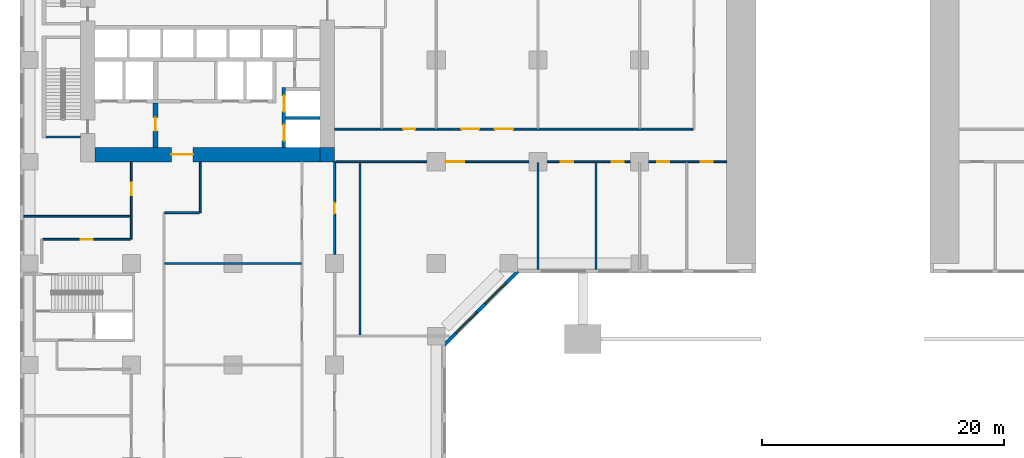
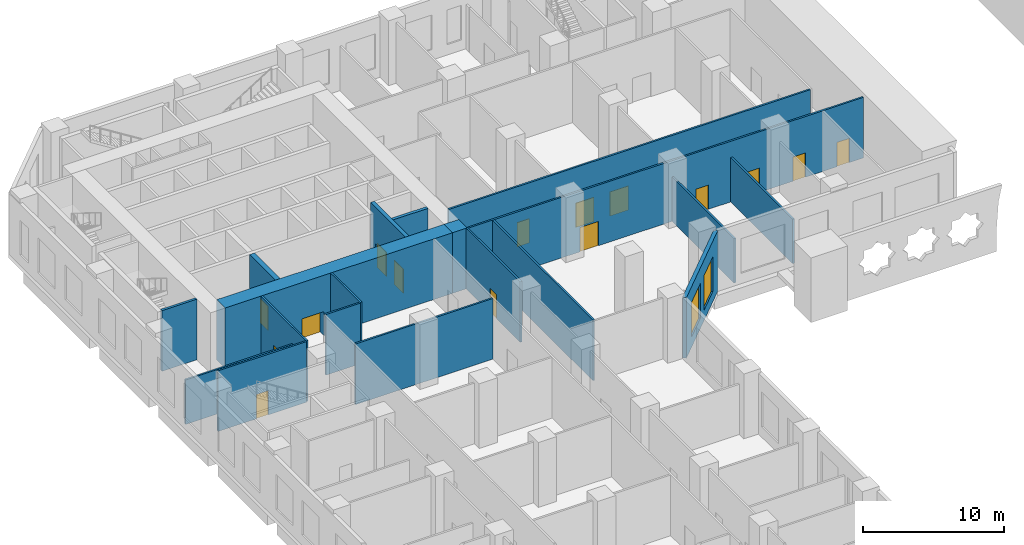
# One storey, part 5 of 17: 19 walls, 15 doors, 2 windows, 17 openings.
"""IFC4 building model written with IfcOpenShell, lengths in metres."""

from ifc_helpers import new_model, si_unit, direction, frame, frame_2d, origin, place, context, subcontext, project, spatial, rectangle, extrude, material, layer, layer_set, type_object, element, fill, save


model = new_model("IFC4")

# Units and contexts
model_context = context("Model", 3, precision=1e-05, world=origin(), true_north=direction((0.0, 1.0)))
body_context = subcontext(model_context, "Body", "Model", "MODEL_VIEW")
ifc_project = project(units=[si_unit("LENGTHUNIT", "METRE"), si_unit("AREAUNIT", "SQUARE_METRE"), si_unit("VOLUMEUNIT", "CUBIC_METRE"), si_unit("PLANEANGLEUNIT", "RADIAN"), si_unit("MASSUNIT", "GRAM", prefix="KILO")], contexts=[model_context])

# Site, building, storey
site_placement = place(None, origin())
site = spatial("IfcSite", under=ifc_project, at=site_placement, CompositionType="ELEMENT")
building_placement = place(site_placement, origin())
building = spatial("IfcBuilding", under=site, at=building_placement, Name="Kawkab Arch Medical Tower", CompositionType="ELEMENT")
storey_placement = place(building_placement, frame((0.0, 0.0, 7.0)))
storey = spatial("IfcBuildingStorey", under=building, at=storey_placement, Name="L02", CompositionType="ELEMENT", Elevation=7.0)

# Wall, opening, door
ifc_material_1 = material(Name="Concrete C60/75", Category="concrete")
ifc_layer_1 = layer(ifc_material_1, 1.199951171875)
ifc_layer_set_1 = layer_set([ifc_layer_1], Name="Concrete C60/75")
wall_type_1 = type_object("IfcWallType", Name="Core ring wall 1200 C60/75", PredefinedType="SHEAR", material=ifc_layer_set_1)
wall_1_placement = place(storey_placement, frame((5.39990234375, -24.60009765625, 0.0), z_axis=(0.0, 0.0, 1.0), x_axis=(1.0, 0.0, 0.0)))
wall_1 = element("IfcWall", 1, at=wall_1_placement, inside=storey, type_object=wall_type_1, Name="L02 core wall", PredefinedType="SHEAR", context=body_context, shape_type="SweptSolid", body=[
    extrude(rectangle(XDim=18.60009765625, YDim=1.199951171875, at=frame_2d((9.300048828125, 0.0))), origin(), (0.0, 0.0, 1.0), 5.25),
])
opening_1_placement = place(wall_1_placement, frame((6.300048828125, 0.0, 0.0)))
opening_1 = element("IfcOpeningElement", 2, at=opening_1_placement, cuts=wall_1, Name="Opening PD", PredefinedType="OPENING", context=body_context, shape_type="SweptSolid", body=[
    extrude(rectangle(XDim=1.800048828125, YDim=2.10009765625, at=frame_2d((0.89990234375, 1.050048828125))), frame((0.0, 0.60986328125, 0.0), z_axis=(0.0, -1.0, 0.0), x_axis=(1.0, 0.0, 0.0)), (0.0, 0.0, 1.0), 1.219970703125),
])
ifc_material_2 = material(Name="Hollow metal fire door leaf")
door_type_1 = type_object("IfcDoorType", Name="Core entrance doors 1800", OperationType="DOUBLE_DOOR_SINGLE_SWING", PredefinedType="DOOR", material=ifc_material_2)
door_1_placement = place(opening_1_placement, origin())
door_1 = element("IfcDoor", 3, at=door_1_placement, inside=storey, type_object=door_type_1, Name="L02 South entrance doors", OperationType="DOUBLE_DOOR_SINGLE_SWING", OverallHeight=2.10009765625, OverallWidth=1.800048828125, PredefinedType="DOOR", context=body_context, shape_type="SweptSolid", body=[
    extrude(rectangle(XDim=1.800048828125, YDim=2.10009765625, at=frame_2d((0.89990234375, 1.050048828125))), frame((0.0, 0.02490234375, 0.0), z_axis=(0.0, -1.0, 0.0), x_axis=(1.0, 0.0, 0.0)), (0.0, 0.0, 1.0), 0.050048828125),
])
fill(opening_1, door_1)

# Walls
wall_2_placement = place(storey_placement, frame((24.60009765625, -25.199951171875, 0.0), z_axis=(0.0, 0.0, 1.0), x_axis=(0.0, 1.0, 0.0)))
element("IfcWall", 4, at=wall_2_placement, inside=storey, type_object=wall_type_1, Name="L02 core wall", PredefinedType="SHEAR", context=body_context, shape_type="SweptSolid", body=[
    extrude(rectangle(XDim=1.199951171875, YDim=1.199951171875, at=frame_2d((0.60009765625, 0.0))), origin(), (0.0, 0.0, 1.0), 5.25),
])
ifc_material_3 = material(Name="Concrete C60/75", Category="concrete")
ifc_layer_2 = layer(ifc_material_3, 0.25)
ifc_layer_set_2 = layer_set([ifc_layer_2], Name="Concrete C60/75")
wall_type_2 = type_object("IfcWallType", Name="Core shear wall 250 C60/75", PredefinedType="SHEAR", material=ifc_layer_set_2)
wall_3_placement = place(storey_placement, frame((21.14990234375, -21.60009765625, 0.0), z_axis=(0.0, 0.0, 1.0), x_axis=(1.0, 0.0, 0.0)))
element("IfcWall", 5, at=wall_3_placement, inside=storey, type_object=wall_type_2, Name="L02 core shear wall", PredefinedType="SHEAR", context=body_context, shape_type="SweptSolid", body=[
    extrude(rectangle(XDim=2.85009765625, YDim=0.25, at=frame_2d((1.425048828125, 0.0))), origin(), (0.0, 0.0, 1.0), 5.25),
])

# Wall, openings, doors
ifc_material_4 = material(Name="Concrete C60/75", Category="concrete")
ifc_layer_3 = layer(ifc_material_4, 0.300048828125)
ifc_layer_set_3 = layer_set([ifc_layer_3], Name="Concrete C60/75")
wall_type_3 = type_object("IfcWallType", Name="Core shear wall 300 C60/75", PredefinedType="SHEAR", material=ifc_layer_set_3)
wall_4_placement = place(storey_placement, frame((21.0, -24.0, 0.0), z_axis=(0.0, 0.0, 1.0), x_axis=(0.0, 1.0, 0.0)))
wall_4 = element("IfcWall", 6, at=wall_4_placement, inside=storey, type_object=wall_type_3, Name="L02 core shear wall", PredefinedType="SHEAR", context=body_context, shape_type="SweptSolid", body=[
    extrude(rectangle(XDim=4.949951171875, YDim=0.300048828125, at=frame_2d((2.47509765625, 0.0))), origin(), (0.0, 0.0, 1.0), 5.25),
])
opening_2_placement = place(wall_4_placement, frame((2.949951171875, 0.0, 0.0)))
opening_2 = element("IfcOpeningElement", 7, at=opening_2_placement, cuts=wall_4, Name="Opening LD2", PredefinedType="OPENING", context=body_context, shape_type="SweptSolid", body=[
    extrude(rectangle(XDim=1.300048828125, YDim=2.10009765625, at=frame_2d((0.64990234375, 1.050048828125))), frame((0.0, 0.159912109375, 0.0), z_axis=(0.0, -1.0, 0.0), x_axis=(1.0, 0.0, 0.0)), (0.0, 0.0, 1.0), 0.320068359375),
])
opening_3_placement = place(wall_4_placement, frame((0.550048828125, 0.0, 0.0)))
opening_3 = element("IfcOpeningElement", 8, at=opening_3_placement, cuts=wall_4, Name="Opening LD2", PredefinedType="OPENING", context=body_context, shape_type="SweptSolid", body=[
    extrude(rectangle(XDim=1.300048828125, YDim=2.10009765625, at=frame_2d((0.64990234375, 1.050048828125))), frame((0.0, 0.159912109375, 0.0), z_axis=(0.0, -1.0, 0.0), x_axis=(1.0, 0.0, 0.0)), (0.0, 0.0, 1.0), 0.320068359375),
])
ifc_material_5 = material(Name="Stainless steel lift door leaf", Category="steel")
door_type_2 = type_object("IfcDoorType", Name="Lift landing door 1300", OperationType="DOUBLE_DOOR_SLIDING", PredefinedType="DOOR", material=ifc_material_5)
door_2_placement = place(opening_2_placement, origin())
door_2 = element("IfcDoor", 9, at=door_2_placement, inside=storey, type_object=door_type_2, Name="L02 Lift landing door BD1", OperationType="DOUBLE_DOOR_SLIDING", OverallHeight=2.10009765625, OverallWidth=1.300048828125, PredefinedType="DOOR", context=body_context, shape_type="SweptSolid", body=[
    extrude(rectangle(XDim=1.300048828125, YDim=2.10009765625, at=frame_2d((0.64990234375, 1.050048828125))), frame((0.0, 0.02490234375, 0.0), z_axis=(0.0, -1.0, 0.0), x_axis=(1.0, 0.0, 0.0)), (0.0, 0.0, 1.0), 0.050048828125),
])
fill(opening_2, door_2)
door_3_placement = place(opening_3_placement, origin())
door_3 = element("IfcDoor", 10, at=door_3_placement, inside=storey, type_object=door_type_2, Name="L02 Lift landing door BD2", OperationType="DOUBLE_DOOR_SLIDING", OverallHeight=2.10009765625, OverallWidth=1.300048828125, PredefinedType="DOOR", context=body_context, shape_type="SweptSolid", body=[
    extrude(rectangle(XDim=1.300048828125, YDim=2.10009765625, at=frame_2d((0.64990234375, 1.050048828125))), frame((0.0, 0.02490234375, 0.0), z_axis=(0.0, -1.0, 0.0), x_axis=(1.0, 0.0, 0.0)), (0.0, 0.0, 1.0), 0.050048828125),
])
fill(opening_3, door_3)

# Wall, opening, door
ifc_material_6 = material(Name="Concrete C60/75", Category="concrete")
ifc_layer_4 = layer(ifc_material_6, 0.39990234375)
ifc_layer_set_4 = layer_set([ifc_layer_4], Name="Concrete C60/75")
wall_type_4 = type_object("IfcWallType", Name="Core shear wall 400 C60/75", PredefinedType="SHEAR", material=ifc_layer_set_4)
wall_5_placement = place(storey_placement, frame((10.39990234375, -24.0, 0.0), z_axis=(0.0, 0.0, 1.0), x_axis=(0.0, 1.0, 0.0)))
wall_5 = element("IfcWall", 11, at=wall_5_placement, inside=storey, type_object=wall_type_4, Name="L02 core shear wall", PredefinedType="SHEAR", context=body_context, shape_type="SweptSolid", body=[
    extrude(rectangle(XDim=3.64990234375, YDim=0.39990234375, at=frame_2d((1.824951171875, 0.0))), origin(), (0.0, 0.0, 1.0), 5.25),
])
opening_4_placement = place(wall_5_placement, frame((1.35009765625, 0.0, 0.0)))
opening_4 = element("IfcOpeningElement", 12, at=opening_4_placement, cuts=wall_5, Name="Opening FD", PredefinedType="OPENING", context=body_context, shape_type="SweptSolid", body=[
    extrude(rectangle(XDim=1.10009765625, YDim=2.10009765625, at=frame_2d((0.550048828125, 1.050048828125))), frame((0.0, 0.2099609375, 0.0), z_axis=(0.0, -1.0, 0.0), x_axis=(1.0, 0.0, 0.0)), (0.0, 0.0, 1.0), 0.419921875),
])
ifc_material_7 = material(Name="Hollow metal fire door leaf")
door_type_3 = type_object("IfcDoorType", Name="Firefighting lobby door 1100", OperationType="SINGLE_SWING_LEFT", PredefinedType="DOOR", material=ifc_material_7)
door_4_placement = place(opening_4_placement, origin())
door_4 = element("IfcDoor", 13, at=door_4_placement, inside=storey, type_object=door_type_3, Name="L02 Firefighting lobby door", OperationType="SINGLE_SWING_LEFT", OverallHeight=2.10009765625, OverallWidth=1.10009765625, PredefinedType="DOOR", context=body_context, shape_type="SweptSolid", body=[
    extrude(rectangle(XDim=1.10009765625, YDim=2.10009765625, at=frame_2d((0.550048828125, 1.050048828125))), frame((0.0, 0.02490234375, 0.0), z_axis=(0.0, -1.0, 0.0), x_axis=(1.0, 0.0, 0.0)), (0.0, 0.0, 1.0), 0.050048828125),
])
fill(opening_4, door_4)

# Wall
ifc_material_8 = material(Name="Gypsum board partition on steel studs, mineral wool", Category="steel")
ifc_layer_5 = layer(ifc_material_8, 0.14990234375)
ifc_layer_set_5 = layer_set([ifc_layer_5], Name="Gypsum board partition on steel studs, mineral wool")
wall_type_5 = type_object("IfcWallType", Name="Partition 150", PredefinedType="PARTITIONING", material=ifc_layer_set_5)
wall_6_placement = place(storey_placement, frame((11.175048828125, -33.60009765625, 0.0), z_axis=(0.0, 0.0, 1.0), x_axis=(1.0, 0.0, 0.0)))
element("IfcWall", 14, at=wall_6_placement, inside=storey, type_object=wall_type_5, Name="Partition 150 w024", PredefinedType="PARTITIONING", context=body_context, shape_type="SweptSolid", body=[
    extrude(rectangle(XDim=11.25, YDim=0.14990234375, at=frame_2d((5.625, 0.0))), origin(), (0.0, 0.0, 1.0), 5.25),
])

# Wall, opening, door
wall_7_placement = place(storey_placement, frame((1.075927734375, -31.60693359375, 0.0), z_axis=(0.0, 0.0, 1.0), x_axis=(1.0, 0.0, 0.0)))
wall_7 = element("IfcWall", 15, at=wall_7_placement, inside=storey, type_object=wall_type_5, Name="Partition 150 w025", PredefinedType="PARTITIONING", context=body_context, shape_type="SweptSolid", body=[
    extrude(rectangle(XDim=7.2490234375, YDim=0.14990234375, at=frame_2d((3.62451171875, 0.0))), origin(), (0.0, 0.0, 1.0), 5.25),
])
opening_5_placement = place(wall_7_placement, frame((3.1240234375, 0.0, 0.0)))
opening_5 = element("IfcOpeningElement", 16, at=opening_5_placement, cuts=wall_7, Name="Opening P02-043", PredefinedType="OPENING", context=body_context, shape_type="SweptSolid", body=[
    extrude(rectangle(XDim=1.0, YDim=2.10009765625, at=frame_2d((0.5, 1.050048828125))), frame((0.0, 0.0849609375, 0.0), z_axis=(0.0, -1.0, 0.0), x_axis=(1.0, 0.0, 0.0)), (0.0, 0.0, 1.0), 0.169921875),
])
ifc_material_9 = material(Name="Hollow metal door leaf")
door_type_4 = type_object("IfcDoorType", Name="Single door 1000x2100 FD30S", OperationType="NOTDEFINED", PredefinedType="DOOR", material=ifc_material_9)
door_5_placement = place(opening_5_placement, origin())
door_5 = element("IfcDoor", 17, at=door_5_placement, inside=storey, type_object=door_type_4, Name="Door P02-043", OperationType="SINGLE_SWING_RIGHT", OverallHeight=2.10009765625, OverallWidth=1.0, PredefinedType="DOOR", context=body_context, shape_type="SweptSolid", body=[
    extrude(rectangle(XDim=1.0, YDim=2.10009765625, at=frame_2d((0.5, 1.050048828125))), frame((0.0, 0.02490234375, 0.0), z_axis=(0.0, -1.0, 0.0), x_axis=(1.0, 0.0, 0.0)), (0.0, 0.0, 1.0), 0.050048828125),
])
fill(opening_5, door_5)

# Walls
wall_8_placement = place(storey_placement, frame((-0.47998046875, -29.699951171875, 0.0), z_axis=(0.0, 0.0, 1.0), x_axis=(1.0, 0.0, 0.0)))
element("IfcWall", 18, at=wall_8_placement, inside=storey, type_object=wall_type_5, Name="Partition 150 w026", PredefinedType="PARTITIONING", context=body_context, shape_type="SweptSolid", body=[
    extrude(rectangle(XDim=8.804931640625, YDim=0.14990234375, at=frame_2d((4.40234375, 0.0))), origin(), (0.0, 0.0, 1.0), 3.85009765625),
])
wall_9_placement = place(storey_placement, frame((11.175048828125, -29.39990234375, 0.0), z_axis=(0.0, 0.0, 1.0), x_axis=(1.0, 0.0, 0.0)))
element("IfcWall", 19, at=wall_9_placement, inside=storey, type_object=wall_type_5, Name="Partition 150 w027", PredefinedType="PARTITIONING", context=body_context, shape_type="SweptSolid", body=[
    extrude(rectangle(XDim=2.849853515625, YDim=0.14990234375, at=frame_2d((1.4248046875, 0.0))), origin(), (0.0, 0.0, 1.0), 5.25),
])

# Wall, openings, doors
wall_10_placement = place(storey_placement, frame((25.27490234375, -25.199951171875, 0.0), z_axis=(0.0, 0.0, 1.0), x_axis=(1.0, 0.0, 0.0)))
wall_10 = element("IfcWall", 20, at=wall_10_placement, inside=storey, type_object=wall_type_5, Name="Partition 150 w028", PredefinedType="PARTITIONING", context=body_context, shape_type="SweptSolid", body=[
    extrude(rectangle(XDim=32.3251953125, YDim=0.14990234375, at=frame_2d((16.16259765625, 0.0))), origin(), (0.0, 0.0, 1.0), 5.25),
])
opening_6_placement = place(wall_10_placement, frame((18.625, 0.0, 0.0)))
opening_6 = element("IfcOpeningElement", 21, at=opening_6_placement, cuts=wall_10, Name="Opening P02-036", PredefinedType="OPENING", context=body_context, shape_type="SweptSolid", body=[
    extrude(rectangle(XDim=1.0, YDim=2.10009765625, at=frame_2d((0.5, 1.050048828125))), frame((0.0, 0.0849609375, 0.0), z_axis=(0.0, -1.0, 0.0), x_axis=(1.0, 0.0, 0.0)), (0.0, 0.0, 1.0), 0.169921875),
])
opening_7_placement = place(wall_10_placement, frame((22.824951171875, 0.0, 0.0)))
opening_7 = element("IfcOpeningElement", 22, at=opening_7_placement, cuts=wall_10, Name="Opening P02-037", PredefinedType="OPENING", context=body_context, shape_type="SweptSolid", body=[
    extrude(rectangle(XDim=1.0, YDim=2.10009765625, at=frame_2d((0.5, 1.050048828125))), frame((0.0, 0.0849609375, 0.0), z_axis=(0.0, -1.0, 0.0), x_axis=(1.0, 0.0, 0.0)), (0.0, 0.0, 1.0), 0.169921875),
])
opening_8_placement = place(wall_10_placement, frame((26.574951171875, 0.0, 0.0)))
opening_8 = element("IfcOpeningElement", 23, at=opening_8_placement, cuts=wall_10, Name="Opening P02-038", PredefinedType="OPENING", context=body_context, shape_type="SweptSolid", body=[
    extrude(rectangle(XDim=1.0, YDim=2.10009765625, at=frame_2d((0.5, 1.050048828125))), frame((0.0, 0.0849609375, 0.0), z_axis=(0.0, -1.0, 0.0), x_axis=(1.0, 0.0, 0.0)), (0.0, 0.0, 1.0), 0.169921875),
])
opening_9_placement = place(wall_10_placement, frame((30.175048828125, 0.0, 0.0)))
opening_9 = element("IfcOpeningElement", 24, at=opening_9_placement, cuts=wall_10, Name="Opening P02-039", PredefinedType="OPENING", context=body_context, shape_type="SweptSolid", body=[
    extrude(rectangle(XDim=1.0, YDim=2.10009765625, at=frame_2d((0.5, 1.050048828125))), frame((0.0, 0.0849609375, 0.0), z_axis=(0.0, -1.0, 0.0), x_axis=(1.0, 0.0, 0.0)), (0.0, 0.0, 1.0), 0.169921875),
])
opening_10_placement = place(wall_10_placement, frame((9.125, 0.0, 0.0)))
opening_10 = element("IfcOpeningElement", 25, at=opening_10_placement, cuts=wall_10, Name="Opening P02-029", PredefinedType="OPENING", context=body_context, shape_type="SweptSolid", body=[
    extrude(rectangle(XDim=1.5, YDim=2.10009765625, at=frame_2d((0.75, 1.050048828125))), frame((0.0, 0.0849609375, 0.0), z_axis=(0.0, -1.0, 0.0), x_axis=(1.0, 0.0, 0.0)), (0.0, 0.0, 1.0), 0.169921875),
])
ifc_material_10 = material(Name="Hollow metal door leaf")
door_type_5 = type_object("IfcDoorType", Name="Double door 1500x2100 FD30S", OperationType="NOTDEFINED", PredefinedType="DOOR", material=ifc_material_10)
door_6_placement = place(opening_10_placement, origin())
door_6 = element("IfcDoor", 26, at=door_6_placement, inside=storey, type_object=door_type_5, Name="Door P02-029", OperationType="DOUBLE_DOOR_SINGLE_SWING", OverallHeight=2.10009765625, OverallWidth=1.5, PredefinedType="DOOR", context=body_context, shape_type="SweptSolid", body=[
    extrude(rectangle(XDim=1.5, YDim=2.10009765625, at=frame_2d((0.75, 1.050048828125))), frame((0.0, 0.02490234375, 0.0), z_axis=(0.0, -1.0, 0.0), x_axis=(1.0, 0.0, 0.0)), (0.0, 0.0, 1.0), 0.050048828125),
])
fill(opening_10, door_6)
door_7_placement = place(opening_6_placement, origin())
door_7 = element("IfcDoor", 27, at=door_7_placement, inside=storey, type_object=door_type_4, Name="Door P02-036", OperationType="SINGLE_SWING_LEFT", OverallHeight=2.10009765625, OverallWidth=1.0, PredefinedType="DOOR", context=body_context, shape_type="SweptSolid", body=[
    extrude(rectangle(XDim=1.0, YDim=2.10009765625, at=frame_2d((0.5, 1.050048828125))), frame((0.0, 0.02490234375, 0.0), z_axis=(0.0, -1.0, 0.0), x_axis=(1.0, 0.0, 0.0)), (0.0, 0.0, 1.0), 0.050048828125),
])
fill(opening_6, door_7)
door_8_placement = place(opening_7_placement, origin())
door_8 = element("IfcDoor", 28, at=door_8_placement, inside=storey, type_object=door_type_4, Name="Door P02-037", OperationType="SINGLE_SWING_LEFT", OverallHeight=2.10009765625, OverallWidth=1.0, PredefinedType="DOOR", context=body_context, shape_type="SweptSolid", body=[
    extrude(rectangle(XDim=1.0, YDim=2.10009765625, at=frame_2d((0.5, 1.050048828125))), frame((0.0, 0.02490234375, 0.0), z_axis=(0.0, -1.0, 0.0), x_axis=(1.0, 0.0, 0.0)), (0.0, 0.0, 1.0), 0.050048828125),
])
fill(opening_7, door_8)
door_9_placement = place(opening_8_placement, origin())
door_9 = element("IfcDoor", 29, at=door_9_placement, inside=storey, type_object=door_type_4, Name="Door P02-038", OperationType="SINGLE_SWING_LEFT", OverallHeight=2.10009765625, OverallWidth=1.0, PredefinedType="DOOR", context=body_context, shape_type="SweptSolid", body=[
    extrude(rectangle(XDim=1.0, YDim=2.10009765625, at=frame_2d((0.5, 1.050048828125))), frame((0.0, 0.02490234375, 0.0), z_axis=(0.0, -1.0, 0.0), x_axis=(1.0, 0.0, 0.0)), (0.0, 0.0, 1.0), 0.050048828125),
])
fill(opening_8, door_9)
door_10_placement = place(opening_9_placement, origin())
door_10 = element("IfcDoor", 30, at=door_10_placement, inside=storey, type_object=door_type_4, Name="Door P02-039", OperationType="SINGLE_SWING_LEFT", OverallHeight=2.10009765625, OverallWidth=1.0, PredefinedType="DOOR", context=body_context, shape_type="SweptSolid", body=[
    extrude(rectangle(XDim=1.0, YDim=2.10009765625, at=frame_2d((0.5, 1.050048828125))), frame((0.0, 0.02490234375, 0.0), z_axis=(0.0, -1.0, 0.0), x_axis=(1.0, 0.0, 0.0)), (0.0, 0.0, 1.0), 0.050048828125),
])
fill(opening_9, door_10)

wall_11_placement = place(storey_placement, frame((25.199951171875, -22.5, 0.0), z_axis=(0.0, 0.0, 1.0), x_axis=(1.0, 0.0, 0.0)))
wall_11 = element("IfcWall", 31, at=wall_11_placement, inside=storey, type_object=wall_type_5, Name="Partition 150 w030", PredefinedType="PARTITIONING", context=body_context, shape_type="SweptSolid", body=[
    extrude(rectangle(XDim=29.625, YDim=0.14990234375, at=frame_2d((14.8125, 0.0))), origin(), (0.0, 0.0, 1.0), 5.25),
])
opening_11_placement = place(wall_11_placement, frame((5.64990234375, 0.0, 0.0)))
opening_11 = element("IfcOpeningElement", 32, at=opening_11_placement, cuts=wall_11, Name="Opening P02-034", PredefinedType="OPENING", context=body_context, shape_type="SweptSolid", body=[
    extrude(rectangle(XDim=1.0, YDim=2.10009765625, at=frame_2d((0.5, 1.050048828125))), frame((0.0, 0.0849609375, 0.0), z_axis=(0.0, -1.0, 0.0), x_axis=(1.0, 0.0, 0.0)), (0.0, 0.0, 1.0), 0.169921875),
])
opening_12_placement = place(wall_11_placement, frame((10.449951171875, 0.0, 0.0)))
opening_12 = element("IfcOpeningElement", 33, at=opening_12_placement, cuts=wall_11, Name="Opening P02-008", PredefinedType="OPENING", context=body_context, shape_type="SweptSolid", body=[
    extrude(rectangle(XDim=1.5, YDim=2.10009765625, at=frame_2d((0.75, 1.050048828125))), frame((0.0, 0.0849609375, 0.0), z_axis=(0.0, -1.0, 0.0), x_axis=(1.0, 0.0, 0.0)), (0.0, 0.0, 1.0), 0.169921875),
])
opening_13_placement = place(wall_11_placement, frame((13.25, 0.0, 0.0)))
opening_13 = element("IfcOpeningElement", 34, at=opening_13_placement, cuts=wall_11, Name="Opening P02-009", PredefinedType="OPENING", context=body_context, shape_type="SweptSolid", body=[
    extrude(rectangle(XDim=1.5, YDim=2.10009765625, at=frame_2d((0.75, 1.050048828125))), frame((0.0, 0.0849609375, 0.0), z_axis=(0.0, -1.0, 0.0), x_axis=(1.0, 0.0, 0.0)), (0.0, 0.0, 1.0), 0.169921875),
])
door_11_placement = place(opening_12_placement, origin())
door_11 = element("IfcDoor", 35, at=door_11_placement, inside=storey, type_object=door_type_5, Name="Door P02-008", OperationType="DOUBLE_DOOR_SINGLE_SWING", OverallHeight=2.10009765625, OverallWidth=1.5, PredefinedType="DOOR", context=body_context, shape_type="SweptSolid", body=[
    extrude(rectangle(XDim=1.5, YDim=2.10009765625, at=frame_2d((0.75, 1.050048828125))), frame((0.0, 0.02490234375, 0.0), z_axis=(0.0, -1.0, 0.0), x_axis=(1.0, 0.0, 0.0)), (0.0, 0.0, 1.0), 0.050048828125),
])
fill(opening_12, door_11)
door_12_placement = place(opening_13_placement, origin())
door_12 = element("IfcDoor", 36, at=door_12_placement, inside=storey, type_object=door_type_5, Name="Door P02-009", OperationType="DOUBLE_DOOR_SINGLE_SWING", OverallHeight=2.10009765625, OverallWidth=1.5, PredefinedType="DOOR", context=body_context, shape_type="SweptSolid", body=[
    extrude(rectangle(XDim=1.5, YDim=2.10009765625, at=frame_2d((0.75, 1.050048828125))), frame((0.0, 0.02490234375, 0.0), z_axis=(0.0, -1.0, 0.0), x_axis=(1.0, 0.0, 0.0)), (0.0, 0.0, 1.0), 0.050048828125),
])
fill(opening_13, door_12)
door_13_placement = place(opening_11_placement, origin())
door_13 = element("IfcDoor", 37, at=door_13_placement, inside=storey, type_object=door_type_4, Name="Door P02-034", OperationType="SINGLE_SWING_LEFT", OverallHeight=2.10009765625, OverallWidth=1.0, PredefinedType="DOOR", context=body_context, shape_type="SweptSolid", body=[
    extrude(rectangle(XDim=1.0, YDim=2.10009765625, at=frame_2d((0.5, 1.050048828125))), frame((0.0, 0.02490234375, 0.0), z_axis=(0.0, -1.0, 0.0), x_axis=(1.0, 0.0, 0.0)), (0.0, 0.0, 1.0), 0.050048828125),
])
fill(opening_11, door_13)

# Wall, opening, door
wall_12_placement = place(storey_placement, frame((8.39990234375, -31.60693359375, 0.0), z_axis=(0.0, 0.0, 1.0), x_axis=(0.0, 1.0, 0.0)))
wall_12 = element("IfcWall", 38, at=wall_12_placement, inside=storey, type_object=wall_type_5, Name="Partition 150 w044", PredefinedType="PARTITIONING", context=body_context, shape_type="SweptSolid", body=[
    extrude(rectangle(XDim=6.406982421875, YDim=0.14990234375, at=frame_2d((3.20361328125, 0.0))), origin(), (0.0, 0.0, 1.0), 5.25),
])
opening_14_placement = place(wall_12_placement, frame((3.656982421875, 0.0, 0.0)))
opening_14 = element("IfcOpeningElement", 39, at=opening_14_placement, cuts=wall_12, Name="Opening P02-031", PredefinedType="OPENING", context=body_context, shape_type="SweptSolid", body=[
    extrude(rectangle(XDim=1.0, YDim=2.10009765625, at=frame_2d((0.5, 1.050048828125))), frame((0.0, 0.0849609375, 0.0), z_axis=(0.0, -1.0, 0.0), x_axis=(1.0, 0.0, 0.0)), (0.0, 0.0, 1.0), 0.169921875),
])
ifc_material_11 = material(Name="Timber door leaf", Category="wood")
door_type_6 = type_object("IfcDoorType", Name="Single door 1000x2100", OperationType="NOTDEFINED", PredefinedType="DOOR", material=ifc_material_11)
door_14_placement = place(opening_14_placement, origin())
door_14 = element("IfcDoor", 40, at=door_14_placement, inside=storey, type_object=door_type_6, Name="Door P02-031", OperationType="SINGLE_SWING_RIGHT", OverallHeight=2.10009765625, OverallWidth=1.0, PredefinedType="DOOR", context=body_context, shape_type="SweptSolid", body=[
    extrude(rectangle(XDim=1.0, YDim=2.10009765625, at=frame_2d((0.5, 1.050048828125))), frame((0.0, 0.02490234375, 0.0), z_axis=(0.0, -1.0, 0.0), x_axis=(1.0, 0.0, 0.0)), (0.0, 0.0, 1.0), 0.050048828125),
])
fill(opening_14, door_14)

# Wall
wall_13_placement = place(storey_placement, frame((14.10009765625, -29.39990234375, 0.0), z_axis=(0.0, 0.0, 1.0), x_axis=(0.0, 1.0, 0.0)))
element("IfcWall", 41, at=wall_13_placement, inside=storey, type_object=wall_type_5, Name="Partition 150 w046", PredefinedType="PARTITIONING", context=body_context, shape_type="SweptSolid", body=[
    extrude(rectangle(XDim=4.199951171875, YDim=0.14990234375, at=frame_2d((2.10009765625, 0.0))), origin(), (0.0, 0.0, 1.0), 5.25),
])

# Wall, opening, door
wall_14_placement = place(storey_placement, frame((25.199951171875, -32.85009765625, 0.0), z_axis=(0.0, 0.0, 1.0), x_axis=(0.0, 1.0, 0.0)))
wall_14 = element("IfcWall", 42, at=wall_14_placement, inside=storey, type_object=wall_type_5, Name="Partition 150 w049", PredefinedType="PARTITIONING", context=body_context, shape_type="SweptSolid", body=[
    extrude(rectangle(XDim=7.650146484375, YDim=0.14990234375, at=frame_2d((3.8251953125, 0.0))), origin(), (0.0, 0.0, 1.0), 5.25),
])
opening_15_placement = place(wall_14_placement, frame((3.375, 0.0, 0.0)))
opening_15 = element("IfcOpeningElement", 43, at=opening_15_placement, cuts=wall_14, Name="Opening P02-030", PredefinedType="OPENING", context=body_context, shape_type="SweptSolid", body=[
    extrude(rectangle(XDim=0.89990234375, YDim=2.10009765625, at=frame_2d((0.449951171875, 1.050048828125))), frame((0.0, 0.0849609375, 0.0), z_axis=(0.0, -1.0, 0.0), x_axis=(1.0, 0.0, 0.0)), (0.0, 0.0, 1.0), 0.169921875),
])
ifc_material_12 = material(Name="Timber door leaf", Category="wood")
door_type_7 = type_object("IfcDoorType", Name="Single door 900x2100", OperationType="NOTDEFINED", PredefinedType="DOOR", material=ifc_material_12)
door_15_placement = place(opening_15_placement, origin())
door_15 = element("IfcDoor", 44, at=door_15_placement, inside=storey, type_object=door_type_7, Name="Door P02-030", OperationType="SINGLE_SWING_RIGHT", OverallHeight=2.10009765625, OverallWidth=0.89990234375, PredefinedType="DOOR", context=body_context, shape_type="SweptSolid", body=[
    extrude(rectangle(XDim=0.89990234375, YDim=2.10009765625, at=frame_2d((0.449951171875, 1.050048828125))), frame((0.0, 0.02490234375, 0.0), z_axis=(0.0, -1.0, 0.0), x_axis=(1.0, 0.0, 0.0)), (0.0, 0.0, 1.0), 0.050048828125),
])
fill(opening_15, door_15)

# Walls
wall_15_placement = place(storey_placement, frame((27.300048828125, -39.52490234375, 0.0), z_axis=(0.0, 0.0, 1.0), x_axis=(0.0, 1.0, 0.0)))
element("IfcWall", 45, at=wall_15_placement, inside=storey, type_object=wall_type_5, Name="Partition 150 w050", PredefinedType="PARTITIONING", context=body_context, shape_type="SweptSolid", body=[
    extrude(rectangle(XDim=14.25, YDim=0.14990234375, at=frame_2d((7.125, 0.0))), origin(), (0.0, 0.0, 1.0), 5.25),
])
for number, where, z_axis, x_axis, name in (
    (46, (42.0, -34.080078125, 0.0), (0.0, 0.0, 1.0), (0.0, 1.0, 0.0), "Partition 150 w059"),
    (47, (46.800048828125, -34.080078125, 0.0), (0.0, 0.0, 1.0), (0.0, 1.0, 0.0), "Partition 150 w063"),
):
    element("IfcWall", number, at=place(storey_placement, frame(where, z_axis=z_axis, x_axis=x_axis)), inside=storey, type_object=wall_type_5, Name=name, PredefinedType="PARTITIONING", context=body_context, shape_type="SweptSolid", body=[
        extrude(rectangle(XDim=8.80517578125, YDim=0.14990234375, at=frame_2d((4.402587890625, 0.0))), origin(), (0.0, 0.0, 1.0), 3.85009765625),
    ])

# Wall, openings, windows
ifc_material_13 = material(Name="Bronze clad insulated wall panel")
ifc_layer_6 = layer(ifc_material_13, 0.300048828125)
ifc_layer_set_6 = layer_set([ifc_layer_6], Name="Bronze clad insulated wall panel")
wall_type_6 = type_object("IfcWallType", Name="Podium external wall 300", PredefinedType="SOLIDWALL", material=ifc_layer_set_6)
wall_16_placement = place(storey_placement, frame((34.25, -40.337890625, 0.0), z_axis=(0.0, 0.0, 1.0), x_axis=(0.707106781187, 0.707106781187, 0.0)))
wall_16 = element("IfcWall", 48, at=wall_16_placement, inside=storey, type_object=wall_type_6, Name="Podium external wall L02 R02", PredefinedType="SOLIDWALL", context=body_context, shape_type="SweptSolid", body=[
    extrude(rectangle(XDim=8.609619140625, YDim=0.300048828125, at=frame_2d((4.3046875, 0.0))), origin(), (0.0, 0.0, 1.0), 5.25),
])
opening_16_placement = place(wall_16_placement, frame((1.406005859375, 0.0, 0.89990234375)))
opening_16 = element("IfcOpeningElement", 49, at=opening_16_placement, cuts=wall_16, Name="Opening PBW240-30-S9", PredefinedType="OPENING", context=body_context, shape_type="SweptSolid", body=[
    extrude(rectangle(XDim=2.39990234375, YDim=3.0, at=frame_2d((1.199951171875, 1.5))), frame((0.0, 0.159912109375, 0.0), z_axis=(0.0, -1.0, 0.0), x_axis=(1.0, 0.0, 0.0)), (0.0, 0.0, 1.0), 0.320068359375),
])
opening_17_placement = place(wall_16_placement, frame((4.803466796875, 0.0, 0.89990234375)))
opening_17 = element("IfcOpeningElement", 50, at=opening_17_placement, cuts=wall_16, Name="Opening PBW240-30-S9", PredefinedType="OPENING", context=body_context, shape_type="SweptSolid", body=[
    extrude(rectangle(XDim=2.39990234375, YDim=3.0, at=frame_2d((1.199951171875, 1.5))), frame((0.0, 0.159912109375, 0.0), z_axis=(0.0, -1.0, 0.0), x_axis=(1.0, 0.0, 0.0)), (0.0, 0.0, 1.0), 0.320068359375),
])
ifc_material_14 = material(Name="Bronze anodised aluminium louvred window", Category="aluminium")
window_type = type_object("IfcWindowType", Name="Podium band window 2400 x 3000 sill 900", PartitioningType="DOUBLE_PANEL_VERTICAL", PredefinedType="WINDOW", material=ifc_material_14)
window_1_placement = place(opening_16_placement, origin())
window_1 = element("IfcWindow", 51, at=window_1_placement, inside=storey, type_object=window_type, Name="Band window L02 R02.1", OverallHeight=3.0, OverallWidth=2.39990234375, PartitioningType="SINGLE_PANEL", PredefinedType="WINDOW", context=body_context, shape_type="SweptSolid", body=[
    extrude(rectangle(XDim=2.39990234375, YDim=3.0, at=frame_2d((1.199951171875, 1.5))), frame((0.0, 0.030029296875, 0.0), z_axis=(0.0, -1.0, 0.0), x_axis=(1.0, 0.0, 0.0)), (0.0, 0.0, 1.0), 0.06005859375),
])
fill(opening_16, window_1)
window_2_placement = place(opening_17_placement, origin())
window_2 = element("IfcWindow", 52, at=window_2_placement, inside=storey, type_object=window_type, Name="Band window L02 R02.2", OverallHeight=3.0, OverallWidth=2.39990234375, PartitioningType="SINGLE_PANEL", PredefinedType="WINDOW", context=body_context, shape_type="SweptSolid", body=[
    extrude(rectangle(XDim=2.39990234375, YDim=3.0, at=frame_2d((1.199951171875, 1.5))), frame((0.0, 0.030029296875, 0.0), z_axis=(0.0, -1.0, 0.0), x_axis=(1.0, 0.0, 0.0)), (0.0, 0.0, 1.0), 0.06005859375),
])
fill(opening_17, window_2)

# Wall
ifc_material_15 = material(Name="Concrete C50/60", Category="concrete")
ifc_layer_7 = layer(ifc_material_15, 0.199951171875)
ifc_layer_set_7 = layer_set([ifc_layer_7], Name="Concrete C50/60")
wall_type_7 = type_object("IfcWallType", Name="Stair enclosure wall 200 C50/60", PredefinedType="SHEAR", material=ifc_layer_set_7)
wall_17_placement = place(storey_placement, frame((1.35009765625, -23.14990234375, 0.0), z_axis=(0.0, 0.0, 1.0), x_axis=(1.0, 0.0, 0.0)))
element("IfcWall", 53, at=wall_17_placement, inside=storey, type_object=wall_type_7, Name="L02 stair enclosure wall", PredefinedType="SHEAR", context=body_context, shape_type="SweptSolid", body=[
    extrude(rectangle(XDim=2.849853515625, YDim=0.199951171875, at=frame_2d((1.4248046875, 0.0))), origin(), (0.0, 0.0, 1.0), 5.25),
])

save(model, "model.ifc")
